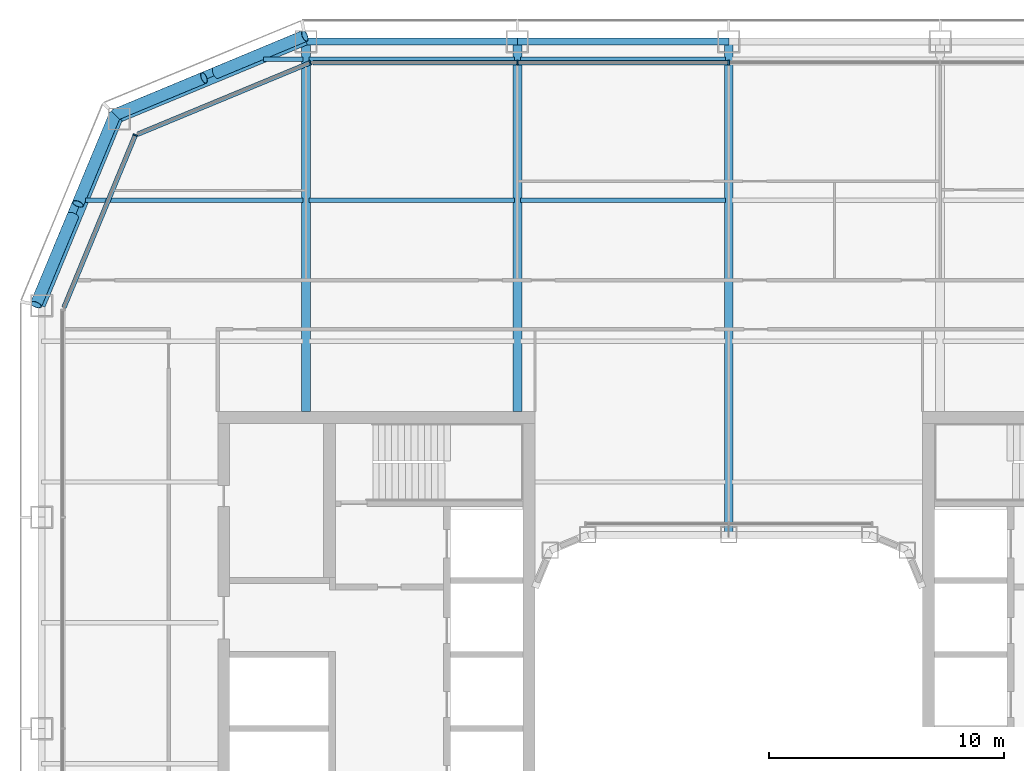
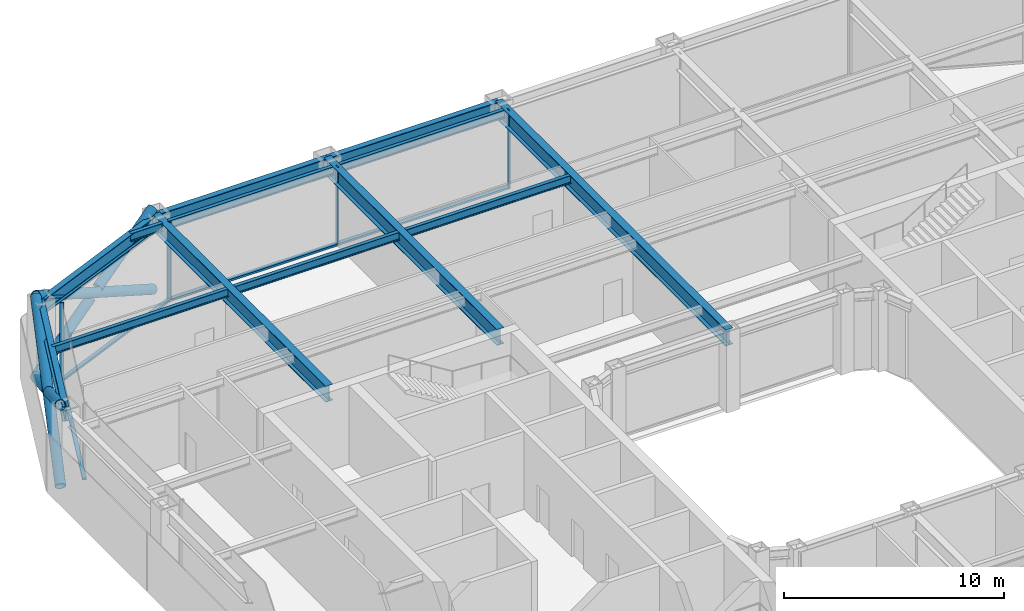
# One storey, part 7 of 23: 14 members, 13 beams, 3 elements without a shape of their own.
"""IFC4 building model written with IfcOpenShell, lengths in metres."""

from ifc_helpers import new_model, si_unit, direction, frame, origin, origin_2d, place, context, subcontext, project, spatial, rectangle, hollow_circle, i_section, extrude, material, layer, layer_set, material_profile, profile_set, type_object, element, aggregate, save


model = new_model("IFC4")

# Units and contexts
model_context = context("Model", 3, precision=1e-05, world=origin(), true_north=direction((0.0, 1.0)))
body_context = subcontext(model_context, "Body", "Model", "MODEL_VIEW")
ifc_project = project(units=[si_unit("LENGTHUNIT", "METRE"), si_unit("AREAUNIT", "SQUARE_METRE"), si_unit("VOLUMEUNIT", "CUBIC_METRE"), si_unit("PLANEANGLEUNIT", "RADIAN"), si_unit("MASSUNIT", "GRAM", prefix="KILO")], contexts=[model_context])

# Site, building, storey
site_placement = place(None, origin())
site = spatial("IfcSite", under=ifc_project, at=site_placement, CompositionType="ELEMENT")
building_placement = place(site_placement, origin())
building = spatial("IfcBuilding", under=site, at=building_placement, Name="Siwar Civic Tower", CompositionType="ELEMENT")
storey_placement = place(building_placement, frame((0.0, 0.0, 109.199951171875)))
storey = spatial("IfcBuildingStorey", under=building, at=storey_placement, Name="L23", CompositionType="ELEMENT", Elevation=109.199951171875)

# Curtain wall, members
ifc_material_1 = material(Name="Aluminium and glass", Category="aluminium")
ifc_layer_1 = layer(ifc_material_1, 0.199951171875)
ifc_layer_set_1 = layer_set([ifc_layer_1], Name="Aluminium and glass")
curtain_wall_type_1 = type_object("IfcCurtainWallType", Name="ENV-CW-B", PredefinedType="NOTDEFINED", material=ifc_layer_set_1)
curtain_wall_1_placement = place(storey_placement, origin())
curtain_wall_1 = element("IfcCurtainWall", 1, at=curtain_wall_1_placement, inside=storey, type_object=curtain_wall_type_1, Name="Curtain wall B N", PredefinedType="NOTDEFINED")
ifc_material_2 = material(Name="Aluminium 6063-T6", Category="aluminium")
ifc_material_profile_1 = material_profile(ifc_material_2, rectangle(XDim=0.199951171875, YDim=0.06494140625, at=origin_2d()), Name="AL 200x65")
ifc_profile_set_1 = profile_set([ifc_material_profile_1], Name="Aluminium 6063-T6")
member_type_1 = type_object("IfcMemberType", Name="ENV-MULLION-B", PredefinedType="MULLION", material=ifc_profile_set_1)
member_1_placement = place(storey_placement, frame((0.0, 28.35009765625, 0.0), z_axis=(0.0, 0.0, 1.0), x_axis=(0.0, -1.0, 0.0)))
member_1 = element("IfcMember", 2, at=member_1_placement, type_object=member_type_1, Name="Mullion B N 3", PredefinedType="MULLION", context=body_context, shape_type="SweptSolid", body=[
    extrude(rectangle(XDim=0.199951171875, YDim=0.06494140625, at=origin_2d()), origin(), (0.0, 0.0, 1.0), 4.35009765625),
])
member_2_placement = place(storey_placement, frame((-9.0, 28.35009765625, 0.0), z_axis=(0.0, 0.0, 1.0), x_axis=(0.0, -1.0, 0.0)))
member_2 = element("IfcMember", 3, at=member_2_placement, type_object=member_type_1, Name="Mullion B N 4", PredefinedType="MULLION", context=body_context, shape_type="SweptSolid", body=[
    extrude(rectangle(XDim=0.199951171875, YDim=0.06494140625, at=origin_2d()), origin(), (0.0, 0.0, 1.0), 4.35009765625),
])

# Curtain wall, member
ifc_material_3 = material(Name="Aluminium clad insulated panel", Category="aluminium")
ifc_layer_2 = layer(ifc_material_3, 0.199951171875)
ifc_layer_set_2 = layer_set([ifc_layer_2], Name="Aluminium clad insulated panel")
curtain_wall_type_2 = type_object("IfcCurtainWallType", Name="ENV-CW-BX", PredefinedType="NOTDEFINED", material=ifc_layer_set_2)
curtain_wall_2_placement = place(storey_placement, origin())
curtain_wall_2 = element("IfcCurtainWall", 4, at=curtain_wall_2_placement, inside=storey, type_object=curtain_wall_type_2, Name="Curtain wall B NW1", PredefinedType="NOTDEFINED")
member_3_placement = place(storey_placement, frame((-17.821044921875, 28.35009765625, 0.0), z_axis=(0.0, 0.0, 1.0), x_axis=(0.382683432365, -0.923879532511, 0.0)))
member_3 = element("IfcMember", 5, at=member_3_placement, type_object=member_type_1, Name="Mullion B NW1 1", PredefinedType="MULLION", context=body_context, shape_type="SweptSolid", body=[
    extrude(rectangle(XDim=0.199951171875, YDim=0.06494140625, at=origin_2d()), origin(), (0.0, 0.0, 1.0), 4.35009765625),
])

curtain_wall_3_placement = place(storey_placement, origin())
curtain_wall_3 = element("IfcCurtainWall", 6, at=curtain_wall_3_placement, inside=storey, type_object=curtain_wall_type_2, Name="Curtain wall B NW2", PredefinedType="NOTDEFINED")
member_4_placement = place(storey_placement, frame((-25.26611328125, 25.26611328125, 0.0), z_axis=(0.0, 0.0, 1.0), x_axis=(0.923879532511, -0.382683432365, 0.0)))
member_4 = element("IfcMember", 7, at=member_4_placement, type_object=member_type_1, Name="Mullion B NW2 1", PredefinedType="MULLION", context=body_context, shape_type="SweptSolid", body=[
    extrude(rectangle(XDim=0.199951171875, YDim=0.06494140625, at=origin_2d()), origin(), (0.0, 0.0, 1.0), 4.35009765625),
])

# Member
ifc_material_4 = material(Name="Aluminium 6063-T6", Category="aluminium")
ifc_material_profile_2 = material_profile(ifc_material_4, rectangle(XDim=0.199951171875, YDim=0.110107421875, at=origin_2d()), Name="AL 200x110")
ifc_profile_set_2 = profile_set([ifc_material_profile_2], Name="Aluminium 6063-T6")
member_type_2 = type_object("IfcMemberType", Name="ENV-TRANSOM-B", PredefinedType="USERDEFINED", material=ifc_profile_set_2)
member_5_placement = place(storey_placement, frame((-0.032470703125, 28.35009765625, 0.054931640625), z_axis=(-1.0, 0.0, 0.0), x_axis=(0.0, -1.0, 0.0)))
member_5 = element("IfcMember", 8, at=member_5_placement, type_object=member_type_2, Name="Transom B N 3", ObjectType="TRANSOM", PredefinedType="USERDEFINED", context=body_context, shape_type="SweptSolid", body=[
    extrude(rectangle(XDim=0.199951171875, YDim=0.110107421875, at=origin_2d()), origin(), (0.0, 0.0, 1.0), 8.93505859375),
])

member_6_placement = place(storey_placement, frame((-9.032470703125, 28.35009765625, 0.054931640625), z_axis=(-1.0, 0.0, 0.0), x_axis=(0.0, -1.0, 0.0)))
member_6 = element("IfcMember", 9, at=member_6_placement, type_object=member_type_2, Name="Transom B N 4", ObjectType="TRANSOM", PredefinedType="USERDEFINED", context=body_context, shape_type="SweptSolid", body=[
    extrude(rectangle(XDim=0.199951171875, YDim=0.110107421875, at=origin_2d()), origin(), (0.0, 0.0, 1.0), 8.6748046875),
])

aggregate(curtain_wall_1, [member_1, member_2, member_5, member_6])

member_7_placement = place(storey_placement, frame((-17.85107421875, 28.337646484375, 0.054931640625), z_axis=(-0.92387279587, -0.382699695651, 0.0), x_axis=(0.382699695651, -0.92387279587, 0.0)))
member_7 = element("IfcMember", 10, at=member_7_placement, type_object=member_type_2, Name="Transom B NW1 1", ObjectType="TRANSOM", PredefinedType="USERDEFINED", context=body_context, shape_type="SweptSolid", body=[
    extrude(rectangle(XDim=0.199951171875, YDim=0.110107421875, at=origin_2d()), origin(), (0.0, 0.0, 1.0), 7.912353515625),
])

aggregate(curtain_wall_2, [member_3, member_7])

member_8_placement = place(storey_placement, frame((-25.278564453125, 25.236083984375, 0.054931640625), z_axis=(-0.382673358825, -0.923883705044, 0.0), x_axis=(0.923883705044, -0.382673358825, 0.0)))
member_8 = element("IfcMember", 11, at=member_8_placement, type_object=member_type_2, Name="Transom B NW2 1", ObjectType="TRANSOM", PredefinedType="USERDEFINED", context=body_context, shape_type="SweptSolid", body=[
    extrude(rectangle(XDim=0.199951171875, YDim=0.110107421875, at=origin_2d()), origin(), (0.0, 0.0, 1.0), 7.912353515625),
])

aggregate(curtain_wall_3, [member_4, member_8])

# Members
ifc_material_5 = material(Name="Steel S355", Category="steel")
ifc_material_profile_3 = material_profile(ifc_material_5, hollow_circle(Radius=0.25390625, WallThickness=0.02490234375, at=origin_2d()), Name="CHS508x25")
ifc_profile_set_3 = profile_set([ifc_material_profile_3], Name="Steel S355")
member_type_3 = type_object("IfcMemberType", Name="STR-BR-CHS508x25", PredefinedType="BRACE", material=ifc_profile_set_3)
member_9_placement = place(storey_placement, frame((-29.4951171875, 18.048828125, 0.0), z_axis=(0.341671493852, 0.821142553604, 0.457149315816), x_axis=(-0.923264922524, 0.384163874976, 0.0)))
element("IfcMember", 12, at=member_9_placement, inside=storey, type_object=member_type_3, Name="L23/brc/BNW1-2-0-1", PredefinedType="BRACE", context=body_context, shape_type="SweptSolid", body=[
    extrude(hollow_circle(Radius=0.25390625, WallThickness=0.02490234375, at=origin_2d()), origin(), (0.0, 0.0, 1.0), 9.843505859375),
])
member_10_placement = place(storey_placement, frame((-26.1318359375, 26.1318359375, 0.0), z_axis=(-0.341662474736, -0.821143275065, 0.457154760636), x_axis=(0.923268638995, -0.384154943021, 0.0)))
element("IfcMember", 13, at=member_10_placement, inside=storey, type_object=member_type_3, Name="L23/brc/BNW1-2-0-2", PredefinedType="BRACE", context=body_context, shape_type="SweptSolid", body=[
    extrude(hollow_circle(Radius=0.25390625, WallThickness=0.02490234375, at=origin_2d()), origin(), (0.0, 0.0, 1.0), 4.61474609375),
])
member_11_placement = place(storey_placement, frame((-27.91845703125, 21.837890625, 2.390625), z_axis=(-0.34168558233, -0.821145902409, 0.457132770413), x_axis=(0.923259859753, -0.384176042158, 0.0)))
element("IfcMember", 14, at=member_11_placement, inside=storey, type_object=member_type_3, Name="L23/brc/BNW1-2-0-3", PredefinedType="BRACE", context=body_context, shape_type="SweptSolid", body=[
    extrude(hollow_circle(Radius=0.25390625, WallThickness=0.02490234375, at=origin_2d()), origin(), (0.0, 0.0, 1.0), 4.6142578125),
])
member_12_placement = place(storey_placement, frame((-18.048828125, 29.4951171875, 0.0), z_axis=(-0.821142553604, -0.341671493852, 0.457149315816), x_axis=(0.384163874976, -0.923264922524, 0.0)))
element("IfcMember", 15, at=member_12_placement, inside=storey, type_object=member_type_3, Name="L23/brc/BNW1-2-0-0", PredefinedType="BRACE", context=body_context, shape_type="SweptSolid", body=[
    extrude(hollow_circle(Radius=0.25390625, WallThickness=0.02490234375, at=origin_2d()), origin(), (0.0, 0.0, 1.0), 9.843505859375),
])
member_13_placement = place(storey_placement, frame((-26.1318359375, 26.1318359375, 0.0), z_axis=(0.821143275065, 0.341662474736, 0.457154760636), x_axis=(-0.384154943021, 0.923268638995, 0.0)))
element("IfcMember", 16, at=member_13_placement, inside=storey, type_object=member_type_3, Name="L23/brc/BNW1-2-0-4", PredefinedType="BRACE", context=body_context, shape_type="SweptSolid", body=[
    extrude(hollow_circle(Radius=0.25390625, WallThickness=0.02490234375, at=origin_2d()), origin(), (0.0, 0.0, 1.0), 4.61474609375),
])
member_14_placement = place(storey_placement, frame((-21.837890625, 27.91845703125, 2.390625), z_axis=(0.821145902409, 0.34168558233, 0.457132770413), x_axis=(-0.384176042158, 0.923259859753, 0.0)))
element("IfcMember", 17, at=member_14_placement, inside=storey, type_object=member_type_3, Name="L23/brc/BNW1-2-0-5", PredefinedType="BRACE", context=body_context, shape_type="SweptSolid", body=[
    extrude(hollow_circle(Radius=0.25390625, WallThickness=0.02490234375, at=origin_2d()), origin(), (0.0, 0.0, 1.0), 4.6142578125),
])

# Beams
ifc_material_6 = material(Name="Steel S355", Category="steel")
ifc_material_profile_4 = material_profile(ifc_material_6, i_section(OverallWidth=0.18994140625, OverallDepth=0.449951171875, WebThickness=0.009521484375, FlangeThickness=0.0146484375, FilletRadius=0.02099609375, at=origin_2d()), Name="IPE450")
ifc_profile_set_4 = profile_set([ifc_material_profile_4], Name="Steel S355")
beam_type_1 = type_object("IfcBeamType", Name="STR-FB-IPE450", PredefinedType="JOIST", material=ifc_profile_set_4)
beam_1_placement = place(storey_placement, frame((-27.385986328125, 22.5, 4.125), z_axis=(1.0, 0.0, 0.0), x_axis=(0.0, 1.0, 0.0)))
element("IfcBeam", 18, at=beam_1_placement, inside=storey, type_object=beam_type_1, Name="L23/bm/F037", PredefinedType="JOIST", context=body_context, shape_type="SweptSolid", body=[
    extrude(i_section(OverallWidth=0.18994140625, OverallDepth=0.449951171875, WebThickness=0.009521484375, FlangeThickness=0.0146484375, FilletRadius=0.02099609375, at=origin_2d()), origin(), (0.0, 0.0, 1.0), 9.256103515625),
])
for number, where, z_axis, x_axis, name in (
    (19, (-17.8701171875, 22.5, 4.125), (1.0, 0.0, 0.0), (0.0, 1.0, 0.0), "L23/bm/F038"),
    (20, (-8.8701171875, 22.5, 4.125), (1.0, 0.0, 0.0), (0.0, 1.0, 0.0), "L23/bm/F039"),
):
    element("IfcBeam", number, at=place(storey_placement, frame(where, z_axis=z_axis, x_axis=x_axis)), inside=storey, type_object=beam_type_1, Name=name, PredefinedType="JOIST", context=body_context, shape_type="SweptSolid", body=[
        extrude(i_section(OverallWidth=0.18994140625, OverallDepth=0.449951171875, WebThickness=0.009521484375, FlangeThickness=0.0146484375, FilletRadius=0.02099609375, at=origin_2d()), origin(), (0.0, 0.0, 1.0), 8.740234375),
    ])
beam_2_placement = place(storey_placement, frame((-19.810546875, 28.5, 4.125), z_axis=(1.0, 0.0, 0.0), x_axis=(0.0, 1.0, 0.0)))
element("IfcBeam", 21, at=beam_2_placement, inside=storey, type_object=beam_type_1, Name="L23/bm/F043", PredefinedType="JOIST", context=body_context, shape_type="SweptSolid", body=[
    extrude(i_section(OverallWidth=0.18994140625, OverallDepth=0.449951171875, WebThickness=0.009521484375, FlangeThickness=0.0146484375, FilletRadius=0.02099609375, at=origin_2d()), origin(), (0.0, 0.0, 1.0), 1.6806640625),
])
for number, where, z_axis, x_axis, name in (
    (22, (-17.8701171875, 28.5, 4.125), (1.0, 0.0, 0.0), (0.0, 1.0, 0.0), "L23/bm/F044"),
    (23, (-8.8701171875, 28.5, 4.125), (1.0, 0.0, 0.0), (0.0, 1.0, 0.0), "L23/bm/F045"),
):
    element("IfcBeam", number, at=place(storey_placement, frame(where, z_axis=z_axis, x_axis=x_axis)), inside=storey, type_object=beam_type_1, Name=name, PredefinedType="JOIST", context=body_context, shape_type="SweptSolid", body=[
        extrude(i_section(OverallWidth=0.18994140625, OverallDepth=0.449951171875, WebThickness=0.009521484375, FlangeThickness=0.0146484375, FilletRadius=0.02099609375, at=origin_2d()), origin(), (0.0, 0.0, 1.0), 8.740234375),
    ])
ifc_material_7 = material(Name="Steel S355", Category="steel")
ifc_material_profile_5 = material_profile(ifc_material_7, i_section(OverallWidth=0.3798828125, OverallDepth=0.89990234375, WebThickness=0.01611328125, FlangeThickness=0.035888671875, at=origin_2d()), Name="PG900x380x16x36")
ifc_profile_set_5 = profile_set([ifc_material_profile_5], Name="Steel S355")
beam_type_2 = type_object("IfcBeamType", Name="STR-PG-PG900x380x16x36", PredefinedType="BEAM", material=ifc_profile_set_5)
for number, where, z_axis, x_axis, name in (
    (24, (-18.0, 13.5, 3.900146484375), (0.0, 1.0, 0.0), (-1.0, 0.0, 0.0), "L23/bm/G02"),
    (25, (-9.0, 13.5, 3.900146484375), (0.0, 1.0, 0.0), (-1.0, 0.0, 0.0), "L23/bm/G04"),
):
    element("IfcBeam", number, at=place(storey_placement, frame(where, z_axis=z_axis, x_axis=x_axis)), inside=storey, type_object=beam_type_2, Name=name, PredefinedType="BEAM", context=body_context, shape_type="SweptSolid", body=[
        extrude(i_section(OverallWidth=0.3798828125, OverallDepth=0.89990234375, WebThickness=0.01611328125, FlangeThickness=0.035888671875, at=origin_2d()), origin(), (0.0, 0.0, 1.0), 15.75),
    ])
beam_3_placement = place(storey_placement, frame((0.0, 8.25, 3.900146484375), z_axis=(0.0, 1.0, 0.0), x_axis=(-1.0, 0.0, 0.0)))
element("IfcBeam", 26, at=beam_3_placement, inside=storey, type_object=beam_type_2, Name="L23/bm/G06", PredefinedType="BEAM", context=body_context, shape_type="SweptSolid", body=[
    extrude(i_section(OverallWidth=0.3798828125, OverallDepth=0.89990234375, WebThickness=0.01611328125, FlangeThickness=0.035888671875, at=origin_2d()), origin(), (0.0, 0.0, 1.0), 21.0),
])
ifc_material_8 = material(Name="Steel S355", Category="steel")
ifc_material_profile_6 = material_profile(ifc_material_8, i_section(OverallWidth=0.300048828125, OverallDepth=0.800048828125, WebThickness=0.017578125, FlangeThickness=0.032958984375, FilletRadius=0.030029296875, at=origin_2d()), Name="HEB800")
ifc_profile_set_6 = profile_set([ifc_material_profile_6], Name="Steel S355")
beam_type_3 = type_object("IfcBeamType", Name="STR-SB-HEB800", PredefinedType="BEAM", material=ifc_profile_set_6)
for number, where, z_axis, x_axis, name in (
    (27, (0.0, 29.25, 3.949951171875), (-1.0, 0.0, 0.0), (0.0, -1.0, 0.0), "L23/bm/SN-2"),
    (28, (-9.0, 29.25, 3.949951171875), (-1.0, 0.0, 0.0), (0.0, -1.0, 0.0), "L23/bm/SN-3"),
):
    element("IfcBeam", number, at=place(storey_placement, frame(where, z_axis=z_axis, x_axis=x_axis)), inside=storey, type_object=beam_type_3, Name=name, PredefinedType="BEAM", context=body_context, shape_type="SweptSolid", body=[
        extrude(i_section(OverallWidth=0.300048828125, OverallDepth=0.800048828125, WebThickness=0.017578125, FlangeThickness=0.032958984375, FilletRadius=0.030029296875, at=origin_2d()), origin(), (0.0, 0.0, 1.0), 9.0),
    ])
for number, where, z_axis, x_axis, name in (
    (29, (-18.0, 29.25, 3.949951171875), (-0.923872720536, -0.382699877515, 0.0), (0.382699877515, -0.923872720536, 0.0), "L23/bm/SNW1-0"),
    (30, (-25.954833984375, 25.954833984375, 3.949951171875), (-0.382699877515, -0.923872720536, 0.0), (0.923872720536, -0.382699877515, 0.0), "L23/bm/SNW2-0"),
):
    element("IfcBeam", number, at=place(storey_placement, frame(where, z_axis=z_axis, x_axis=x_axis)), inside=storey, type_object=beam_type_3, Name=name, PredefinedType="BEAM", context=body_context, shape_type="SweptSolid", body=[
        extrude(i_section(OverallWidth=0.300048828125, OverallDepth=0.800048828125, WebThickness=0.017578125, FlangeThickness=0.032958984375, FilletRadius=0.030029296875, at=origin_2d()), origin(), (0.0, 0.0, 1.0), 8.6103515625),
    ])

save(model, "model.ifc")
